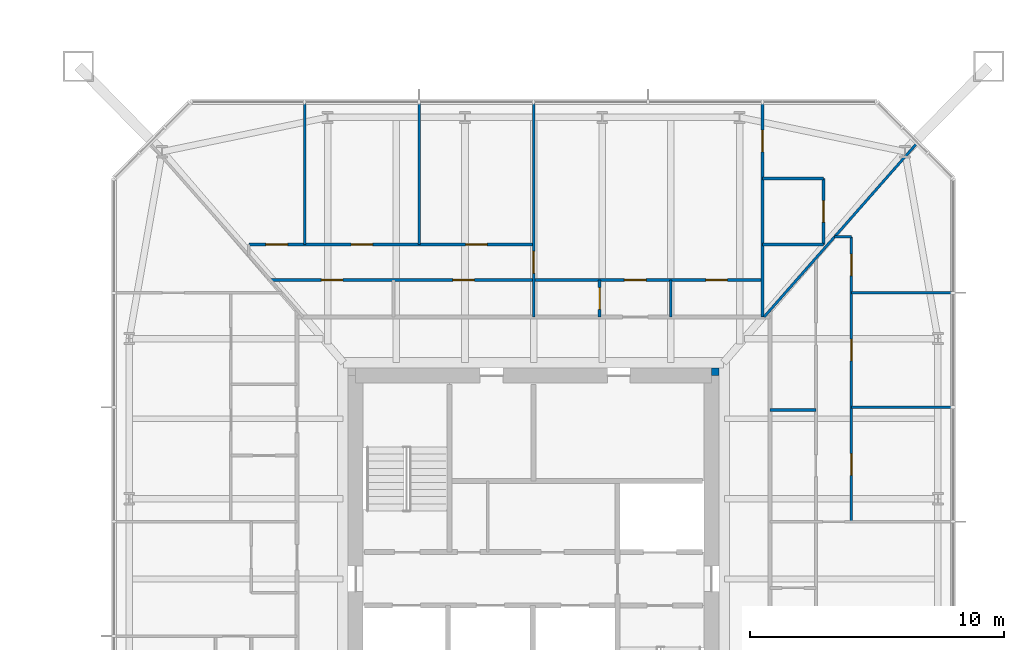
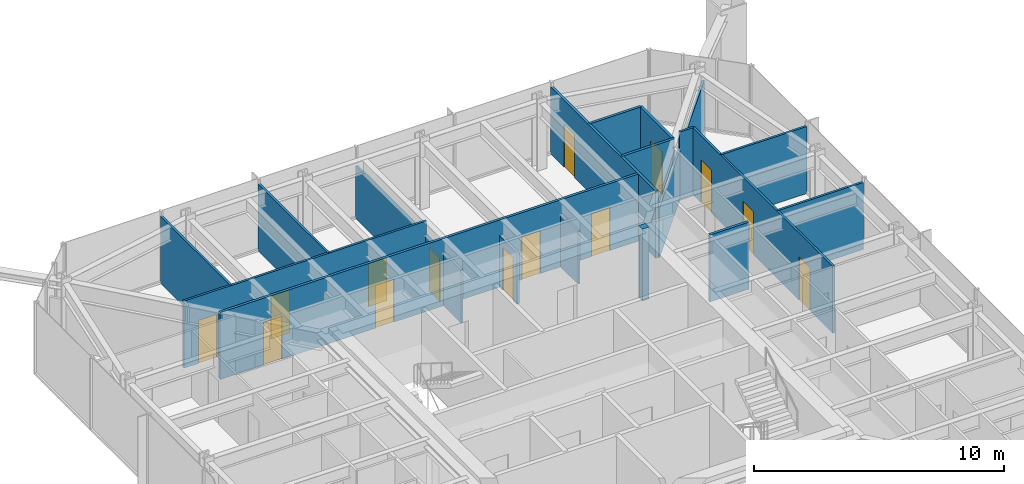
# One storey, part 21 of 26: 18 walls, 14 doors, 14 openings.
"""IFC4 building model written with IfcOpenShell, lengths in metres."""

from ifc_helpers import new_model, si_unit, direction, frame, frame_2d, origin, place, context, subcontext, project, spatial, rectangle, extrude, material, layer, layer_set, type_object, element, fill, save


model = new_model("IFC4")

# Units and contexts
model_context = context("Model", 3, precision=1e-05, world=origin(), true_north=direction((0.0, 1.0)))
body_context = subcontext(model_context, "Body", "Model", "MODEL_VIEW")
ifc_project = project(units=[si_unit("LENGTHUNIT", "METRE"), si_unit("AREAUNIT", "SQUARE_METRE"), si_unit("VOLUMEUNIT", "CUBIC_METRE"), si_unit("PLANEANGLEUNIT", "RADIAN"), si_unit("MASSUNIT", "GRAM", prefix="KILO")], contexts=[model_context])

# Site, building, storey
site_placement = place(None, origin())
site = spatial("IfcSite", under=ifc_project, at=site_placement, CompositionType="ELEMENT")
building_placement = place(site_placement, origin())
building = spatial("IfcBuilding", under=site, at=building_placement, Name="Iwan Alto Co-Living Towers", CompositionType="ELEMENT")
storey_placement = place(building_placement, frame((0.0, 0.0, 46.5)))
storey = spatial("IfcBuildingStorey", under=building, at=storey_placement, Name="L12", CompositionType="ELEMENT", Elevation=46.5)

# Walls
ifc_material_1 = material(Name="Gypsum board")
ifc_layer_1 = layer(ifc_material_1, 0.012451171875, Name="Board", Category="Finish")
ifc_material_2 = material(Name="Steel ASTM A1003 ST33H cold-formed studs", Category="steel")
ifc_layer_2 = layer(ifc_material_2, 0.074951171875, Name="Studs", Category="Framing")
ifc_layer_3 = layer(ifc_material_1, 0.012451171875, Name="Board", Category="Finish")
ifc_layer_set_1 = layer_set([ifc_layer_1, ifc_layer_2, ifc_layer_3], Name="PARTITION 100")
wall_type_1 = type_object("IfcWallType", Name="PARTITION 100", PredefinedType="PARTITIONING", material=ifc_layer_set_1)
for number, where, z_axis, x_axis, name in (
    (1, (75.5, 6.75, 0.0), (0.0, 0.0, 1.0), (1.0, 0.0, 0.0), "Partition L12"),
    (2, (75.5, 11.25, 0.0), (0.0, 0.0, 1.0), (1.0, 0.0, 0.0), "Partition L12"),
):
    element("IfcWall", number, at=place(storey_placement, frame(where, z_axis=z_axis, x_axis=x_axis)), inside=storey, type_object=wall_type_1, Name=name, PredefinedType="PARTITIONING", context=body_context, shape_type="SweptSolid", body=[
        extrude(rectangle(XDim=3.93994140625, YDim=0.10009765625, at=frame_2d((1.969970703125, 0.0))), origin(), (0.0, 0.0, 1.0), 3.27001953125),
    ])

# Wall, openings, doors
wall_1_placement = place(storey_placement, frame((51.800048828125, 13.14990234375, 0.0), z_axis=(0.0, 0.0, 1.0), x_axis=(1.0, 0.0, 0.0)))
wall_1 = element("IfcWall", 3, at=wall_1_placement, inside=storey, type_object=wall_type_1, Name="Partition L12", PredefinedType="PARTITIONING", context=body_context, shape_type="SweptSolid", body=[
    extrude(rectangle(XDim=11.199951171875, YDim=0.10009765625, at=frame_2d((5.60009765625, 0.0))), origin(), (0.0, 0.0, 1.0), 3.27001953125),
])
opening_1_placement = place(wall_1_placement, frame((8.52490234375, 0.0, 0.0)))
opening_1 = element("IfcOpeningElement", 4, at=opening_1_placement, cuts=wall_1, Name="Opening D2", PredefinedType="OPENING", context=body_context, shape_type="SweptSolid", body=[
    extrude(rectangle(XDim=0.85009765625, YDim=2.10009765625, at=frame_2d((0.425048828125, 1.050048828125))), frame((0.0, 0.06005859375, 0.0), z_axis=(0.0, -1.0, 0.0), x_axis=(1.0, 0.0, 0.0)), (0.0, 0.0, 1.0), 0.1201171875),
])
opening_2_placement = place(wall_1_placement, frame((4.02490234375, 0.0, 0.0)))
opening_2 = element("IfcOpeningElement", 5, at=opening_2_placement, cuts=wall_1, Name="Opening D2", PredefinedType="OPENING", context=body_context, shape_type="SweptSolid", body=[
    extrude(rectangle(XDim=0.85009765625, YDim=2.10009765625, at=frame_2d((0.425048828125, 1.050048828125))), frame((0.0, 0.06005859375, 0.0), z_axis=(0.0, -1.0, 0.0), x_axis=(1.0, 0.0, 0.0)), (0.0, 0.0, 1.0), 0.1201171875),
])
opening_3_placement = place(wall_1_placement, frame((0.675048828125, 0.0, 0.0)))
opening_3 = element("IfcOpeningElement", 6, at=opening_3_placement, cuts=wall_1, Name="Opening D2", PredefinedType="OPENING", context=body_context, shape_type="SweptSolid", body=[
    extrude(rectangle(XDim=0.85009765625, YDim=2.10009765625, at=frame_2d((0.425048828125, 1.050048828125))), frame((0.0, 0.06005859375, 0.0), z_axis=(0.0, -1.0, 0.0), x_axis=(1.0, 0.0, 0.0)), (0.0, 0.0, 1.0), 0.1201171875),
])
ifc_material_3 = material(Name="Timber leaf in steel frame", Category="steel")
door_type = type_object("IfcDoorType", Name="ROOM DOOR 850X2100", OperationType="SINGLE_SWING_LEFT", PredefinedType="DOOR", material=ifc_material_3)
door_1_placement = place(opening_1_placement, origin())
door_1 = element("IfcDoor", 7, at=door_1_placement, inside=storey, type_object=door_type, Name="Study door L12", OperationType="SINGLE_SWING_LEFT", OverallHeight=2.10009765625, OverallWidth=0.85009765625, PredefinedType="DOOR", context=body_context, shape_type="SweptSolid", body=[
    extrude(rectangle(XDim=0.85009765625, YDim=2.10009765625, at=frame_2d((0.425048828125, 1.050048828125))), frame((0.0, 0.02490234375, 0.0), z_axis=(0.0, -1.0, 0.0), x_axis=(1.0, 0.0, 0.0)), (0.0, 0.0, 1.0), 0.050048828125),
])
fill(opening_1, door_1)
door_2_placement = place(opening_2_placement, origin())
door_2 = element("IfcDoor", 8, at=door_2_placement, inside=storey, type_object=door_type, Name="Bedroom door L12", OperationType="SINGLE_SWING_LEFT", OverallHeight=2.10009765625, OverallWidth=0.85009765625, PredefinedType="DOOR", context=body_context, shape_type="SweptSolid", body=[
    extrude(rectangle(XDim=0.85009765625, YDim=2.10009765625, at=frame_2d((0.425048828125, 1.050048828125))), frame((0.0, 0.02490234375, 0.0), z_axis=(0.0, -1.0, 0.0), x_axis=(1.0, 0.0, 0.0)), (0.0, 0.0, 1.0), 0.050048828125),
])
fill(opening_2, door_2)
door_3_placement = place(opening_3_placement, origin())
door_3 = element("IfcDoor", 9, at=door_3_placement, inside=storey, type_object=door_type, Name="Bedroom door L12", OperationType="SINGLE_SWING_RIGHT", OverallHeight=2.10009765625, OverallWidth=0.85009765625, PredefinedType="DOOR", context=body_context, shape_type="SweptSolid", body=[
    extrude(rectangle(XDim=0.85009765625, YDim=2.10009765625, at=frame_2d((0.425048828125, 1.050048828125))), frame((0.0, 0.02490234375, 0.0), z_axis=(0.0, -1.0, 0.0), x_axis=(1.0, 0.0, 0.0)), (0.0, 0.0, 1.0), 0.050048828125),
])
fill(opening_3, door_3)

# Walls
wall_2_placement = place(storey_placement, frame((74.8359375, 13.449951171875, 0.0), z_axis=(0.0, 0.0, 1.0), x_axis=(1.0, 0.0, 0.0)))
element("IfcWall", 10, at=wall_2_placement, inside=storey, type_object=wall_type_1, Name="Partition L12", PredefinedType="PARTITIONING", context=body_context, shape_type="SweptSolid", body=[
    extrude(rectangle(XDim=0.6640625, YDim=0.10009765625, at=frame_2d((0.33203125, 0.0))), origin(), (0.0, 0.0, 1.0), 3.27001953125),
])
wall_3_placement = place(storey_placement, frame((72.06396484375, 10.300048828125, 0.0), z_axis=(0.0, 0.0, 1.0), x_axis=(0.660700699661, 0.750649442461, 0.0)))
element("IfcWall", 11, at=wall_3_placement, inside=storey, type_object=wall_type_1, Name="Partition L12", PredefinedType="PARTITIONING", context=body_context, shape_type="SweptSolid", body=[
    extrude(rectangle(XDim=9.07080078125, YDim=0.10009765625, at=frame_2d((4.535400390625, 0.0))), origin(), (0.0, 0.0, 1.0), 2.42919921875),
])

# Wall, openings, doors
wall_4_placement = place(storey_placement, frame((75.5, 2.25, 0.0), z_axis=(0.0, 0.0, 1.0), x_axis=(0.0, 1.0, 0.0)))
wall_4 = element("IfcWall", 12, at=wall_4_placement, inside=storey, type_object=wall_type_1, Name="Partition L12", PredefinedType="PARTITIONING", context=body_context, shape_type="SweptSolid", body=[
    extrude(rectangle(XDim=11.199951171875, YDim=0.10009765625, at=frame_2d((5.60009765625, 0.0))), origin(), (0.0, 0.0, 1.0), 3.27001953125),
])
opening_4_placement = place(wall_4_placement, frame((1.824951171875, 0.0, 0.0)))
opening_4 = element("IfcOpeningElement", 13, at=opening_4_placement, cuts=wall_4, Name="Opening D2", PredefinedType="OPENING", context=body_context, shape_type="SweptSolid", body=[
    extrude(rectangle(XDim=0.85009765625, YDim=2.10009765625, at=frame_2d((0.425048828125, 1.050048828125))), frame((0.0, 0.06005859375, 0.0), z_axis=(0.0, -1.0, 0.0), x_axis=(1.0, 0.0, 0.0)), (0.0, 0.0, 1.0), 0.1201171875),
])
opening_5_placement = place(wall_4_placement, frame((6.324951171875, 0.0, 0.0)))
opening_5 = element("IfcOpeningElement", 14, at=opening_5_placement, cuts=wall_4, Name="Opening D2", PredefinedType="OPENING", context=body_context, shape_type="SweptSolid", body=[
    extrude(rectangle(XDim=0.85009765625, YDim=2.10009765625, at=frame_2d((0.425048828125, 1.050048828125))), frame((0.0, 0.06005859375, 0.0), z_axis=(0.0, -1.0, 0.0), x_axis=(1.0, 0.0, 0.0)), (0.0, 0.0, 1.0), 0.1201171875),
])
opening_6_placement = place(wall_4_placement, frame((9.675048828125, 0.0, 0.0)))
opening_6 = element("IfcOpeningElement", 15, at=opening_6_placement, cuts=wall_4, Name="Opening D2", PredefinedType="OPENING", context=body_context, shape_type="SweptSolid", body=[
    extrude(rectangle(XDim=0.85009765625, YDim=2.10009765625, at=frame_2d((0.425048828125, 1.050048828125))), frame((0.0, 0.06005859375, 0.0), z_axis=(0.0, -1.0, 0.0), x_axis=(1.0, 0.0, 0.0)), (0.0, 0.0, 1.0), 0.1201171875),
])
door_4_placement = place(opening_4_placement, frame((0.85009765625, 0.0, 0.0), z_axis=(0.0, 0.0, 1.0), x_axis=(-1.0, 0.0, 0.0)))
door_4 = element("IfcDoor", 16, at=door_4_placement, inside=storey, type_object=door_type, Name="Family room door L12", OperationType="SINGLE_SWING_RIGHT", OverallHeight=2.10009765625, OverallWidth=0.85009765625, PredefinedType="DOOR", context=body_context, shape_type="SweptSolid", body=[
    extrude(rectangle(XDim=0.85009765625, YDim=2.10009765625, at=frame_2d((0.425048828125, 1.050048828125))), frame((0.0, 0.02490234375, 0.0), z_axis=(0.0, -1.0, 0.0), x_axis=(1.0, 0.0, 0.0)), (0.0, 0.0, 1.0), 0.050048828125),
])
fill(opening_4, door_4)
door_5_placement = place(opening_5_placement, frame((0.85009765625, 0.0, 0.0), z_axis=(0.0, 0.0, 1.0), x_axis=(-1.0, 0.0, 0.0)))
door_5 = element("IfcDoor", 17, at=door_5_placement, inside=storey, type_object=door_type, Name="Bedroom door L12", OperationType="SINGLE_SWING_RIGHT", OverallHeight=2.10009765625, OverallWidth=0.85009765625, PredefinedType="DOOR", context=body_context, shape_type="SweptSolid", body=[
    extrude(rectangle(XDim=0.85009765625, YDim=2.10009765625, at=frame_2d((0.425048828125, 1.050048828125))), frame((0.0, 0.02490234375, 0.0), z_axis=(0.0, -1.0, 0.0), x_axis=(1.0, 0.0, 0.0)), (0.0, 0.0, 1.0), 0.050048828125),
])
fill(opening_5, door_5)
door_6_placement = place(opening_6_placement, frame((0.85009765625, 0.0, 0.0), z_axis=(0.0, 0.0, 1.0), x_axis=(-1.0, 0.0, 0.0)))
door_6 = element("IfcDoor", 18, at=door_6_placement, inside=storey, type_object=door_type, Name="Study door L12", OperationType="SINGLE_SWING_RIGHT", OverallHeight=2.10009765625, OverallWidth=0.85009765625, PredefinedType="DOOR", context=body_context, shape_type="SweptSolid", body=[
    extrude(rectangle(XDim=0.85009765625, YDim=2.10009765625, at=frame_2d((0.425048828125, 1.050048828125))), frame((0.0, 0.02490234375, 0.0), z_axis=(0.0, -1.0, 0.0), x_axis=(1.0, 0.0, 0.0)), (0.0, 0.0, 1.0), 0.050048828125),
])
fill(opening_6, door_6)

# Wall
wall_5_placement = place(storey_placement, frame((68.39990234375, 10.300048828125, 0.0), z_axis=(0.0, 0.0, 1.0), x_axis=(0.0, 1.0, 0.0)))
element("IfcWall", 19, at=wall_5_placement, inside=storey, type_object=wall_type_1, Name="Partition L12", PredefinedType="PARTITIONING", context=body_context, shape_type="SweptSolid", body=[
    extrude(rectangle(XDim=1.449951171875, YDim=0.10009765625, at=frame_2d((0.72509765625, 0.0))), origin(), (0.0, 0.0, 1.0), 2.586669921875),
])

# Wall, opening, door
wall_6_placement = place(storey_placement, frame((63.0, 10.300048828125, 0.0), z_axis=(0.0, 0.0, 1.0), x_axis=(0.0, 1.0, 0.0)))
wall_6 = element("IfcWall", 20, at=wall_6_placement, inside=storey, type_object=wall_type_1, Name="Partition L12", PredefinedType="PARTITIONING", context=body_context, shape_type="SweptSolid", body=[
    extrude(rectangle(XDim=8.389892578125, YDim=0.10009765625, at=frame_2d((4.19482421875, 0.0))), origin(), (0.0, 0.0, 1.0), 2.586669921875),
])
opening_7_placement = place(wall_6_placement, frame((1.72509765625, 0.0, 0.0)))
opening_7 = element("IfcOpeningElement", 21, at=opening_7_placement, cuts=wall_6, Name="Opening D2", PredefinedType="OPENING", context=body_context, shape_type="SweptSolid", body=[
    extrude(rectangle(XDim=0.85009765625, YDim=2.10009765625, at=frame_2d((0.425048828125, 1.050048828125))), frame((0.0, 0.06005859375, 0.0), z_axis=(0.0, -1.0, 0.0), x_axis=(1.0, 0.0, 0.0)), (0.0, 0.0, 1.0), 0.1201171875),
])
door_7_placement = place(opening_7_placement, frame((0.85009765625, 0.0, 0.0), z_axis=(0.0, 0.0, 1.0), x_axis=(-1.0, 0.0, 0.0)))
door_7 = element("IfcDoor", 22, at=door_7_placement, inside=storey, type_object=door_type, Name="Apartment hall door L12", OperationType="SINGLE_SWING_RIGHT", OverallHeight=2.10009765625, OverallWidth=0.85009765625, PredefinedType="DOOR", context=body_context, shape_type="SweptSolid", body=[
    extrude(rectangle(XDim=0.85009765625, YDim=2.10009765625, at=frame_2d((0.425048828125, 1.050048828125))), frame((0.0, 0.02490234375, 0.0), z_axis=(0.0, -1.0, 0.0), x_axis=(1.0, 0.0, 0.0)), (0.0, 0.0, 1.0), 0.050048828125),
])
fill(opening_7, door_7)

# Walls
for number, where, z_axis, x_axis, name in (
    (23, (58.5, 13.14990234375, 0.0), (0.0, 0.0, 1.0), (0.0, 1.0, 0.0), "Partition L12"),
    (24, (54.0, 13.14990234375, 0.0), (0.0, 0.0, 1.0), (0.0, 1.0, 0.0), "Partition L12"),
):
    element("IfcWall", number, at=place(storey_placement, frame(where, z_axis=z_axis, x_axis=x_axis)), inside=storey, type_object=wall_type_1, Name=name, PredefinedType="PARTITIONING", context=body_context, shape_type="SweptSolid", body=[
        extrude(rectangle(XDim=5.5400390625, YDim=0.10009765625, at=frame_2d((2.77001953125, 0.0))), origin(), (0.0, 0.0, 1.0), 3.27001953125),
    ])
ifc_material_4 = material(Name="Concrete f'c 70 MPa", Category="concrete")
ifc_layer_4 = layer(ifc_material_4, 0.300048828125)
ifc_layer_set_2 = layer_set([ifc_layer_4], Name="T2 CORE CORNER FILL 300")
wall_type_2 = type_object("IfcWallType", Name="T2 CORE CORNER FILL 300", PredefinedType="SOLIDWALL", material=ifc_layer_set_2)
wall_7_placement = place(storey_placement, frame((70.0, 8.14990234375, 0.0), z_axis=(0.0, 0.0, 1.0), x_axis=(1.0, 0.0, 0.0)))
element("IfcWall", 25, at=wall_7_placement, inside=storey, type_object=wall_type_2, Name="T2 core corner NE L12", PredefinedType="SOLIDWALL", context=body_context, shape_type="SweptSolid", body=[
    extrude(rectangle(XDim=0.300048828125, YDim=0.300048828125, at=frame_2d((0.14990234375, 0.0))), origin(), (0.0, 0.0, 1.0), 3.5),
])
ifc_material_5 = material(Name="Cement board")
ifc_layer_5 = layer(ifc_material_5, 0.012451171875, Name="Board", Category="Finish")
ifc_layer_6 = layer(ifc_material_2, 0.094970703125, Name="Studs", Category="Framing")
ifc_layer_7 = layer(ifc_material_5, 0.012451171875, Name="Board", Category="Finish")
ifc_layer_set_3 = layer_set([ifc_layer_5, ifc_layer_6, ifc_layer_7], Name="WET AREA PARTITION 120")
wall_type_3 = type_object("IfcWallType", Name="WET AREA PARTITION 120", PredefinedType="PARTITIONING", material=ifc_layer_set_3)
wall_8_placement = place(storey_placement, frame((72.300048828125, 6.64990234375, 0.0), z_axis=(0.0, 0.0, 1.0), x_axis=(1.0, 0.0, 0.0)))
element("IfcWall", 26, at=wall_8_placement, inside=storey, type_object=wall_type_3, Name="Partition L12", PredefinedType="PARTITIONING", context=body_context, shape_type="SweptSolid", body=[
    extrude(rectangle(XDim=1.800048828125, YDim=0.1201171875, at=frame_2d((0.89990234375, 0.0))), origin(), (0.0, 0.0, 1.0), 3.27001953125),
])

# Wall, openings, doors
wall_9_placement = place(storey_placement, frame((52.659912109375, 11.75, 0.0), z_axis=(0.0, 0.0, 1.0), x_axis=(1.0, 0.0, 0.0)))
wall_9 = element("IfcWall", 27, at=wall_9_placement, inside=storey, type_object=wall_type_3, Name="Partition L12", PredefinedType="PARTITIONING", context=body_context, shape_type="SweptSolid", body=[
    extrude(rectangle(XDim=19.340087890625, YDim=0.1201171875, at=frame_2d((9.669921875, 0.0))), origin(), (0.0, 0.0, 1.0), 3.27001953125),
])
opening_8_placement = place(wall_9_placement, frame((17.114990234375, 0.0, 0.0)))
opening_8 = element("IfcOpeningElement", 28, at=opening_8_placement, cuts=wall_9, Name="Opening D2", PredefinedType="OPENING", context=body_context, shape_type="SweptSolid", body=[
    extrude(rectangle(XDim=0.85009765625, YDim=2.10009765625, at=frame_2d((0.425048828125, 1.050048828125))), frame((0.0, 0.070068359375, 0.0), z_axis=(0.0, -1.0, 0.0), x_axis=(1.0, 0.0, 0.0)), (0.0, 0.0, 1.0), 0.14013671875),
])
opening_9_placement = place(wall_9_placement, frame((13.9150390625, 0.0, 0.0)))
opening_9 = element("IfcOpeningElement", 29, at=opening_9_placement, cuts=wall_9, Name="Opening D2", PredefinedType="OPENING", context=body_context, shape_type="SweptSolid", body=[
    extrude(rectangle(XDim=0.85009765625, YDim=2.10009765625, at=frame_2d((0.425048828125, 1.050048828125))), frame((0.0, 0.070068359375, 0.0), z_axis=(0.0, -1.0, 0.0), x_axis=(1.0, 0.0, 0.0)), (0.0, 0.0, 1.0), 0.14013671875),
])
opening_10_placement = place(wall_9_placement, frame((7.1650390625, 0.0, 0.0)))
opening_10 = element("IfcOpeningElement", 30, at=opening_10_placement, cuts=wall_9, Name="Opening D2", PredefinedType="OPENING", context=body_context, shape_type="SweptSolid", body=[
    extrude(rectangle(XDim=0.85009765625, YDim=2.10009765625, at=frame_2d((0.425048828125, 1.050048828125))), frame((0.0, 0.070068359375, 0.0), z_axis=(0.0, -1.0, 0.0), x_axis=(1.0, 0.0, 0.0)), (0.0, 0.0, 1.0), 0.14013671875),
])
opening_11_placement = place(wall_9_placement, frame((1.9951171875, 0.0, 0.0)))
opening_11 = element("IfcOpeningElement", 31, at=opening_11_placement, cuts=wall_9, Name="Opening D2", PredefinedType="OPENING", context=body_context, shape_type="SweptSolid", body=[
    extrude(rectangle(XDim=0.85009765625, YDim=2.10009765625, at=frame_2d((0.425048828125, 1.050048828125))), frame((0.0, 0.070068359375, 0.0), z_axis=(0.0, -1.0, 0.0), x_axis=(1.0, 0.0, 0.0)), (0.0, 0.0, 1.0), 0.14013671875),
])
door_8_placement = place(opening_8_placement, origin())
door_8 = element("IfcDoor", 32, at=door_8_placement, inside=storey, type_object=door_type, Name="Kitchen door L12", OperationType="SINGLE_SWING_RIGHT", OverallHeight=2.10009765625, OverallWidth=0.85009765625, PredefinedType="DOOR", context=body_context, shape_type="SweptSolid", body=[
    extrude(rectangle(XDim=0.85009765625, YDim=2.10009765625, at=frame_2d((0.425048828125, 1.050048828125))), frame((0.0, 0.02490234375, 0.0), z_axis=(0.0, -1.0, 0.0), x_axis=(1.0, 0.0, 0.0)), (0.0, 0.0, 1.0), 0.050048828125),
])
fill(opening_8, door_8)
door_9_placement = place(opening_9_placement, origin())
door_9 = element("IfcDoor", 33, at=door_9_placement, inside=storey, type_object=door_type, Name="Apartment foyer door L12", OperationType="SINGLE_SWING_LEFT", OverallHeight=2.10009765625, OverallWidth=0.85009765625, PredefinedType="DOOR", context=body_context, shape_type="SweptSolid", body=[
    extrude(rectangle(XDim=0.85009765625, YDim=2.10009765625, at=frame_2d((0.425048828125, 1.050048828125))), frame((0.0, 0.02490234375, 0.0), z_axis=(0.0, -1.0, 0.0), x_axis=(1.0, 0.0, 0.0)), (0.0, 0.0, 1.0), 0.050048828125),
])
fill(opening_9, door_9)
door_10_placement = place(opening_10_placement, frame((0.85009765625, 0.0, 0.0), z_axis=(0.0, 0.0, 1.0), x_axis=(-1.0, 0.0, 0.0)))
door_10 = element("IfcDoor", 34, at=door_10_placement, inside=storey, type_object=door_type, Name="Utility room door L12", OperationType="SINGLE_SWING_RIGHT", OverallHeight=2.10009765625, OverallWidth=0.85009765625, PredefinedType="DOOR", context=body_context, shape_type="SweptSolid", body=[
    extrude(rectangle(XDim=0.85009765625, YDim=2.10009765625, at=frame_2d((0.425048828125, 1.050048828125))), frame((0.0, 0.02490234375, 0.0), z_axis=(0.0, -1.0, 0.0), x_axis=(1.0, 0.0, 0.0)), (0.0, 0.0, 1.0), 0.050048828125),
])
fill(opening_10, door_10)
door_11_placement = place(opening_11_placement, frame((0.85009765625, 0.0, 0.0), z_axis=(0.0, 0.0, 1.0), x_axis=(-1.0, 0.0, 0.0)))
door_11 = element("IfcDoor", 35, at=door_11_placement, inside=storey, type_object=door_type, Name="Store room door L12", OperationType="SINGLE_SWING_RIGHT", OverallHeight=2.10009765625, OverallWidth=0.85009765625, PredefinedType="DOOR", context=body_context, shape_type="SweptSolid", body=[
    extrude(rectangle(XDim=0.85009765625, YDim=2.10009765625, at=frame_2d((0.425048828125, 1.050048828125))), frame((0.0, 0.02490234375, 0.0), z_axis=(0.0, -1.0, 0.0), x_axis=(1.0, 0.0, 0.0)), (0.0, 0.0, 1.0), 0.050048828125),
])
fill(opening_11, door_11)

# Walls
for number, where, z_axis, x_axis, name in (
    (36, (72.0, 13.14990234375, 0.0), (0.0, 0.0, 1.0), (1.0, 0.0, 0.0), "Partition L12"),
    (37, (72.0, 15.75, 0.0), (0.0, 0.0, 1.0), (1.0, 0.0, 0.0), "Partition L12"),
):
    element("IfcWall", number, at=place(storey_placement, frame(where, z_axis=z_axis, x_axis=x_axis)), inside=storey, type_object=wall_type_3, Name=name, PredefinedType="PARTITIONING", context=body_context, shape_type="SweptSolid", body=[
        extrude(rectangle(XDim=2.39990234375, YDim=0.1201171875, at=frame_2d((1.199951171875, 0.0))), origin(), (0.0, 0.0, 1.0), 3.27001953125),
    ])

# Wall, opening, door
wall_10_placement = place(storey_placement, frame((74.39990234375, 13.14990234375, 0.0), z_axis=(0.0, 0.0, 1.0), x_axis=(0.0, 1.0, 0.0)))
wall_10 = element("IfcWall", 38, at=wall_10_placement, inside=storey, type_object=wall_type_3, Name="Partition L12", PredefinedType="PARTITIONING", context=body_context, shape_type="SweptSolid", body=[
    extrude(rectangle(XDim=2.60009765625, YDim=0.1201171875, at=frame_2d((1.300048828125, 0.0))), origin(), (0.0, 0.0, 1.0), 3.27001953125),
])
opening_12_placement = place(wall_10_placement, frame((0.875, 0.0, 0.0)))
opening_12 = element("IfcOpeningElement", 39, at=opening_12_placement, cuts=wall_10, Name="Opening D2", PredefinedType="OPENING", context=body_context, shape_type="SweptSolid", body=[
    extrude(rectangle(XDim=0.85009765625, YDim=2.10009765625, at=frame_2d((0.425048828125, 1.050048828125))), frame((0.0, 0.070068359375, 0.0), z_axis=(0.0, -1.0, 0.0), x_axis=(1.0, 0.0, 0.0)), (0.0, 0.0, 1.0), 0.14013671875),
])
door_12_placement = place(opening_12_placement, frame((0.85009765625, 0.0, 0.0), z_axis=(0.0, 0.0, 1.0), x_axis=(-1.0, 0.0, 0.0)))
door_12 = element("IfcDoor", 40, at=door_12_placement, inside=storey, type_object=door_type, Name="En-suite shower room door L12", OperationType="SINGLE_SWING_RIGHT", OverallHeight=2.10009765625, OverallWidth=0.85009765625, PredefinedType="DOOR", context=body_context, shape_type="SweptSolid", body=[
    extrude(rectangle(XDim=0.85009765625, YDim=2.10009765625, at=frame_2d((0.425048828125, 1.050048828125))), frame((0.0, 0.02490234375, 0.0), z_axis=(0.0, -1.0, 0.0), x_axis=(1.0, 0.0, 0.0)), (0.0, 0.0, 1.0), 0.050048828125),
])
fill(opening_12, door_12)

wall_11_placement = place(storey_placement, frame((72.0, 10.300048828125, 0.0), z_axis=(0.0, 0.0, 1.0), x_axis=(0.0, 1.0, 0.0)))
wall_11 = element("IfcWall", 41, at=wall_11_placement, inside=storey, type_object=wall_type_3, Name="Partition L12", PredefinedType="PARTITIONING", context=body_context, shape_type="SweptSolid", body=[
    extrude(rectangle(XDim=8.389892578125, YDim=0.1201171875, at=frame_2d((4.19482421875, 0.0))), origin(), (0.0, 0.0, 1.0), 3.27001953125),
])
opening_13_placement = place(wall_11_placement, frame((6.4951171875, 0.0, 0.0)))
opening_13 = element("IfcOpeningElement", 42, at=opening_13_placement, cuts=wall_11, Name="Opening D2", PredefinedType="OPENING", context=body_context, shape_type="SweptSolid", body=[
    extrude(rectangle(XDim=0.85009765625, YDim=2.10009765625, at=frame_2d((0.425048828125, 1.050048828125))), frame((0.0, 0.070068359375, 0.0), z_axis=(0.0, -1.0, 0.0), x_axis=(1.0, 0.0, 0.0)), (0.0, 0.0, 1.0), 0.14013671875),
])
door_13_placement = place(opening_13_placement, origin())
door_13 = element("IfcDoor", 43, at=door_13_placement, inside=storey, type_object=door_type, Name="Bedroom door L12", OperationType="SINGLE_SWING_RIGHT", OverallHeight=2.10009765625, OverallWidth=0.85009765625, PredefinedType="DOOR", context=body_context, shape_type="SweptSolid", body=[
    extrude(rectangle(XDim=0.85009765625, YDim=2.10009765625, at=frame_2d((0.425048828125, 1.050048828125))), frame((0.0, 0.02490234375, 0.0), z_axis=(0.0, -1.0, 0.0), x_axis=(1.0, 0.0, 0.0)), (0.0, 0.0, 1.0), 0.050048828125),
])
fill(opening_13, door_13)

wall_12_placement = place(storey_placement, frame((65.60009765625, 10.300048828125, 0.0), z_axis=(0.0, 0.0, 1.0), x_axis=(0.0, 1.0, 0.0)))
wall_12 = element("IfcWall", 44, at=wall_12_placement, inside=storey, type_object=wall_type_3, Name="Partition L12", PredefinedType="PARTITIONING", context=body_context, shape_type="SweptSolid", body=[
    extrude(rectangle(XDim=1.449951171875, YDim=0.1201171875, at=frame_2d((0.72509765625, 0.0))), origin(), (0.0, 0.0, 1.0), 2.508056640625),
])
opening_14_placement = place(wall_12_placement, frame((0.300048828125, 0.0, 0.0)))
opening_14 = element("IfcOpeningElement", 45, at=opening_14_placement, cuts=wall_12, Name="Opening D2", PredefinedType="OPENING", context=body_context, shape_type="SweptSolid", body=[
    extrude(rectangle(XDim=0.85009765625, YDim=2.10009765625, at=frame_2d((0.425048828125, 1.050048828125))), frame((0.0, 0.070068359375, 0.0), z_axis=(0.0, -1.0, 0.0), x_axis=(1.0, 0.0, 0.0)), (0.0, 0.0, 1.0), 0.14013671875),
])
door_14_placement = place(opening_14_placement, origin())
door_14 = element("IfcDoor", 46, at=door_14_placement, inside=storey, type_object=door_type, Name="Shower room door L12", OperationType="SINGLE_SWING_LEFT", OverallHeight=2.10009765625, OverallWidth=0.85009765625, PredefinedType="DOOR", context=body_context, shape_type="SweptSolid", body=[
    extrude(rectangle(XDim=0.85009765625, YDim=2.10009765625, at=frame_2d((0.425048828125, 1.050048828125))), frame((0.0, 0.02490234375, 0.0), z_axis=(0.0, -1.0, 0.0), x_axis=(1.0, 0.0, 0.0)), (0.0, 0.0, 1.0), 0.050048828125),
])
fill(opening_14, door_14)

save(model, "model.ifc")
